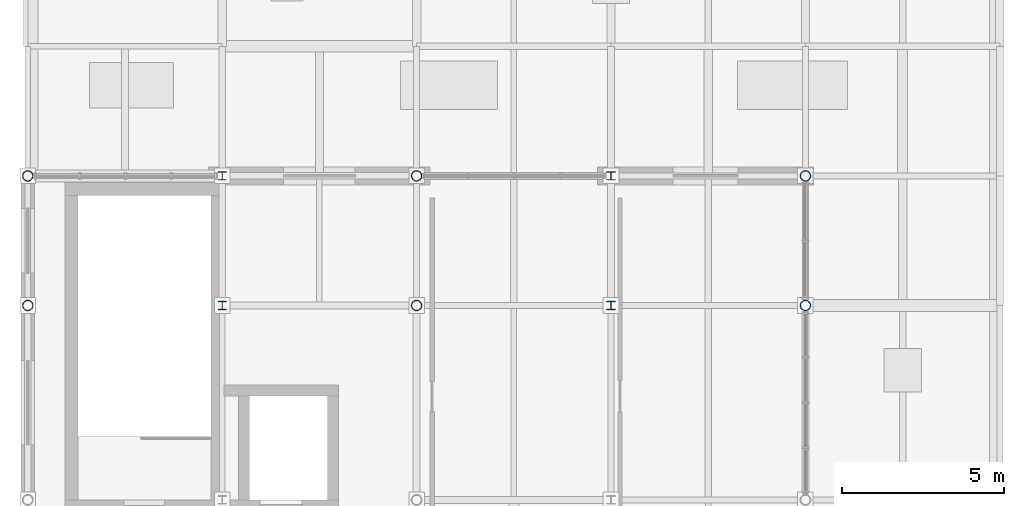
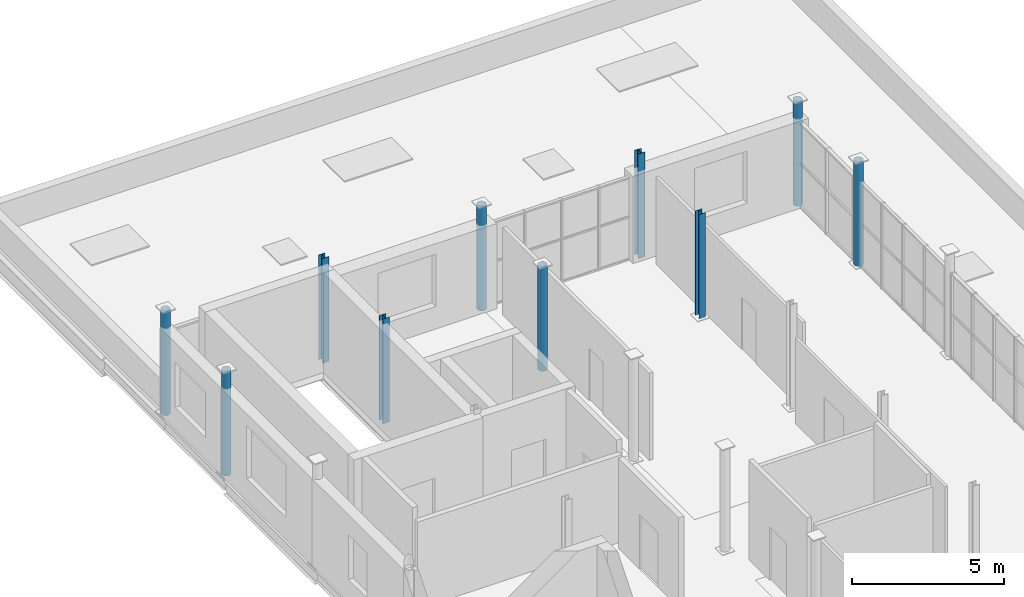
# One storey, part 2 of 27: 10 columns.
"""IFC4 building model written with IfcOpenShell, lengths in metres."""

from ifc_helpers import new_model, si_unit, direction, frame, origin, origin_2d, place, context, subcontext, project, spatial, hollow_circle, i_section, extrude, material, material_profile, profile_set, type_object, element, save


model = new_model("IFC4")

# Units and contexts
model_context = context("Model", 3, precision=1e-05, world=origin(), true_north=direction((0.0, 1.0)))
body_context = subcontext(model_context, "Body", "Model", "MODEL_VIEW")
ifc_project = project(units=[si_unit("LENGTHUNIT", "METRE"), si_unit("AREAUNIT", "SQUARE_METRE"), si_unit("VOLUMEUNIT", "CUBIC_METRE"), si_unit("PLANEANGLEUNIT", "RADIAN"), si_unit("MASSUNIT", "GRAM", prefix="KILO")], contexts=[model_context])

# Site, building, storey
site_placement = place(None, origin())
site = spatial("IfcSite", under=ifc_project, at=site_placement, CompositionType="ELEMENT")
building_placement = place(site_placement, origin())
building = spatial("IfcBuilding", under=site, at=building_placement, Name="Verrall Gate Interchange", CompositionType="ELEMENT")
storey_placement = place(building_placement, frame((0.0, 0.0, 28.60009765625)))
storey = spatial("IfcBuildingStorey", under=building, at=storey_placement, Name="L07", CompositionType="ELEMENT", Elevation=28.60009765625)

# Columns
ifc_material_1 = material(Name="Structural Steel CSA G40.21 350W", Category="steel")
ifc_material_profile_1 = material_profile(ifc_material_1, i_section(OverallWidth=0.25390625, OverallDepth=0.2529296875, WebThickness=0.008544921875, FlangeThickness=0.01416015625, FilletRadius=0.011962890625, at=origin_2d()), Name="W250x73")
ifc_profile_set_1 = profile_set([ifc_material_profile_1], Name="Structural Steel CSA G40.21 350W")
column_type_1 = type_object("IfcColumnType", Name="C-11 Column W250x73", PredefinedType="COLUMN", material=ifc_profile_set_1)
for number, where, z_axis, x_axis, name in (
    (1, (12.0, 40.0, 0.0), (0.0, 0.0, 1.0), (1.0, 0.0, 0.0), "L07 Column COL-L07-0315 (C-11)"),
    (2, (12.0, 44.0, 0.0), (0.0, 0.0, 1.0), (1.0, 0.0, 0.0), "L07 Column COL-L07-0324 (C-11)"),
    (3, (24.0, 40.0, 0.0), (0.0, 0.0, 1.0), (1.0, 0.0, 0.0), "L07 Column COL-L07-0549 (C-11)"),
    (4, (24.0, 44.0, 0.0), (0.0, 0.0, 1.0), (1.0, 0.0, 0.0), "L07 Column COL-L07-0558 (C-11)"),
):
    element("IfcColumn", number, at=place(storey_placement, frame(where, z_axis=z_axis, x_axis=x_axis)), inside=storey, type_object=column_type_1, Name=name, PredefinedType="COLUMN", context=body_context, shape_type="SweptSolid", body=[
        extrude(i_section(OverallWidth=0.25390625, OverallDepth=0.2529296875, WebThickness=0.008544921875, FlangeThickness=0.01416015625, FilletRadius=0.011962890625, at=origin_2d()), origin(), (0.0, 0.0, 1.0), 4.199951171875),
    ])
ifc_material_2 = material(Name="Structural Steel CSA G40.21 350WT Cat 4", Category="steel")
ifc_material_profile_2 = material_profile(ifc_material_2, hollow_circle(Radius=0.161865234375, WallThickness=0.0126953125, at=origin_2d()), Name="HSS324x13")
ifc_profile_set_2 = profile_set([ifc_material_profile_2], Name="Structural Steel CSA G40.21 350WT Cat 4")
column_type_2 = type_object("IfcColumnType", Name="C-15 Column HSS324x13", PredefinedType="COLUMN", material=ifc_profile_set_2)
for number, where, z_axis, x_axis, name in (
    (5, (6.0, 40.0, 0.0), (0.0, 0.0, 1.0), (1.0, 0.0, 0.0), "L07 Column COL-L07-0198 (C-15)"),
    (6, (6.0, 44.0, 0.0), (0.0, 0.0, 1.0), (1.0, 0.0, 0.0), "L07 Column COL-L07-0207 (C-15)"),
    (7, (18.0, 40.0, 0.0), (0.0, 0.0, 1.0), (1.0, 0.0, 0.0), "L07 Column COL-L07-0432 (C-15)"),
    (8, (18.0, 44.0, 0.0), (0.0, 0.0, 1.0), (1.0, 0.0, 0.0), "L07 Column COL-L07-0441 (C-15)"),
    (9, (30.0, 40.0, 0.0), (0.0, 0.0, 1.0), (1.0, 0.0, 0.0), "L07 Column COL-L07-0666 (C-15)"),
    (10, (30.0, 44.0, 0.0), (0.0, 0.0, 1.0), (1.0, 0.0, 0.0), "L07 Column COL-L07-0675 (C-15)"),
):
    element("IfcColumn", number, at=place(storey_placement, frame(where, z_axis=z_axis, x_axis=x_axis)), inside=storey, type_object=column_type_2, Name=name, PredefinedType="COLUMN", context=body_context, shape_type="SweptSolid", body=[
        extrude(hollow_circle(Radius=0.161865234375, WallThickness=0.0126953125, at=origin_2d()), origin(), (0.0, 0.0, 1.0), 4.199951171875),
    ])

save(model, "model.ifc")
